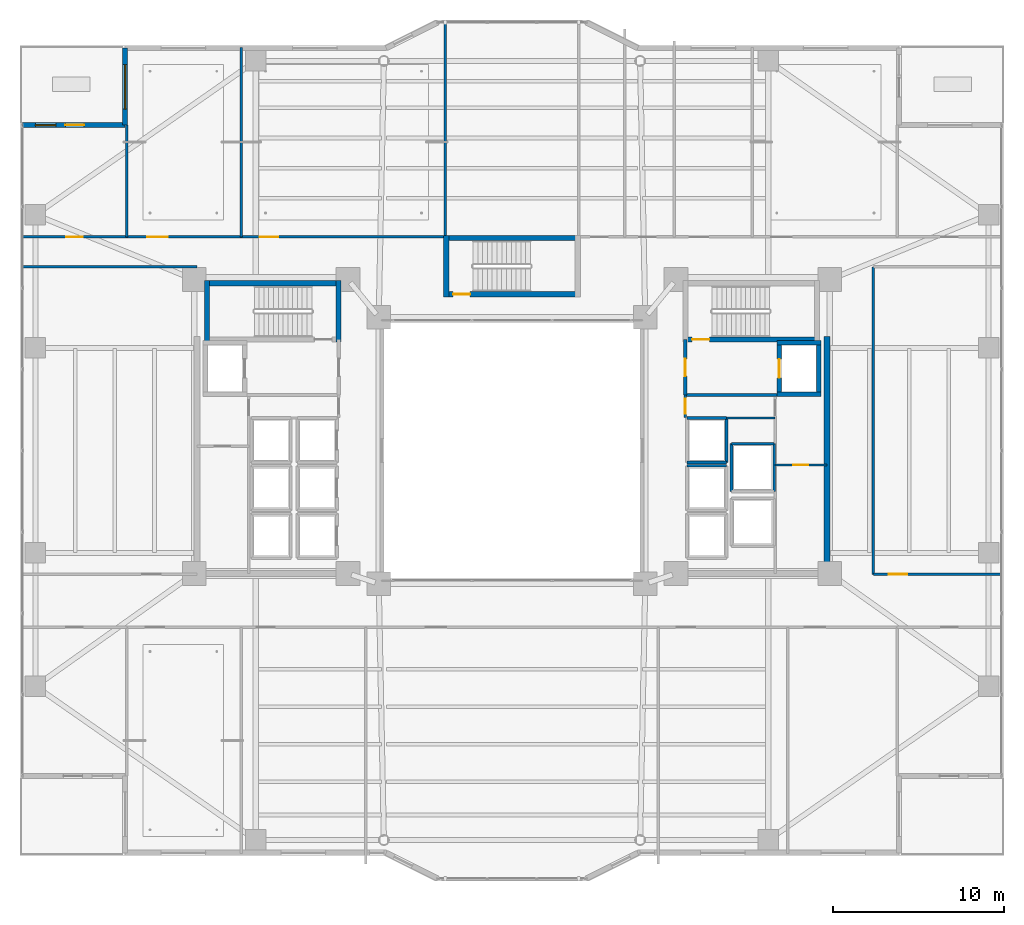
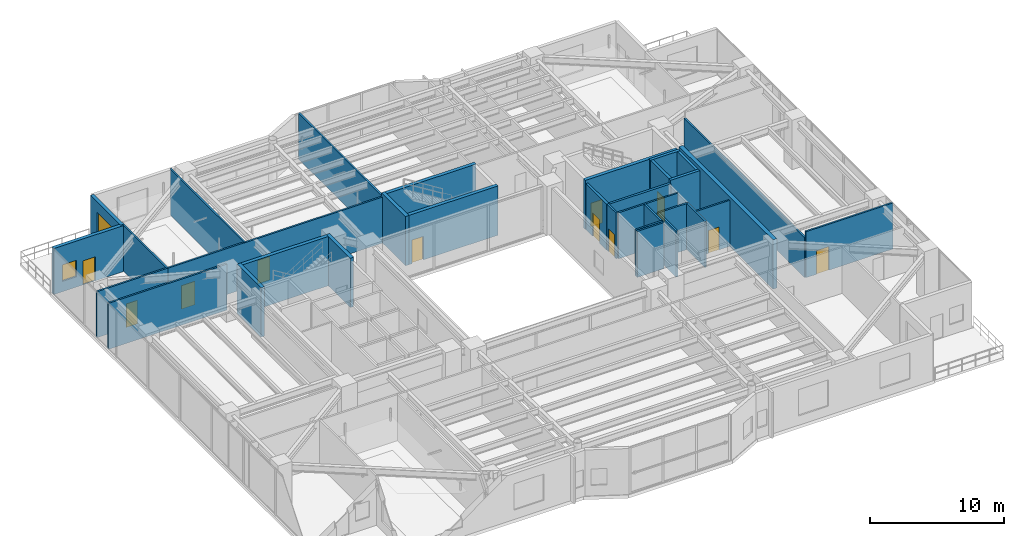
# One storey, part 31 of 40: 34 walls, 11 doors, 2 windows, 13 openings.
"""IFC4 building model written with IfcOpenShell, lengths in metres."""

from ifc_helpers import new_model, si_unit, direction, frame, frame_2d, origin, place, context, subcontext, project, spatial, rectangle, extrude, material, layer, layer_set, type_object, element, fill, save


model = new_model("IFC4")

# Units and contexts
model_context = context("Model", 3, precision=1e-05, world=origin(), true_north=direction((0.0, 1.0)))
body_context = subcontext(model_context, "Body", "Model", "MODEL_VIEW")
ifc_project = project(units=[si_unit("LENGTHUNIT", "METRE"), si_unit("AREAUNIT", "SQUARE_METRE"), si_unit("VOLUMEUNIT", "CUBIC_METRE"), si_unit("PLANEANGLEUNIT", "RADIAN"), si_unit("MASSUNIT", "GRAM", prefix="KILO")], contexts=[model_context])

# Site, building, storey
site_placement = place(None, origin())
site = spatial("IfcSite", under=ifc_project, at=site_placement, CompositionType="ELEMENT")
building_placement = place(site_placement, origin())
building = spatial("IfcBuilding", under=site, at=building_placement, Name="Tarnavaz Court Tower", CompositionType="ELEMENT")
storey_placement = place(building_placement, frame((0.0, 0.0, 64.199951171875)))
storey = spatial("IfcBuildingStorey", under=building, at=storey_placement, Name="L17", CompositionType="ELEMENT", Elevation=64.199951171875)

# Wall, opening, door
ifc_material_1 = material(Name="Concrete C60/75", Category="concrete")
ifc_layer_1 = layer(ifc_material_1, 0.25)
ifc_layer_set_1 = layer_set([ifc_layer_1], Name="Concrete C60/75")
wall_type_1 = type_object("IfcWallType", Name="WL-CORE-250-C60", PredefinedType="SHEAR", material=ifc_layer_set_1)
wall_1_placement = place(storey_placement, frame((15.64990234375, 3.175048828125, 0.0), z_axis=(0.0, 0.0, 1.0), x_axis=(0.0, 1.0, 0.0)))
wall_1 = element("IfcWall", 1, at=wall_1_placement, inside=storey, type_object=wall_type_1, Name="L17 Lift FL-E1 Shaft Wall 045", PredefinedType="SHEAR", context=body_context, shape_type="SweptSolid", body=[
    extrude(rectangle(XDim=3.25, YDim=0.25, at=frame_2d((1.625, 0.0))), origin(), (0.0, 0.0, 1.0), 4.5),
])
opening_1_placement = place(wall_1_placement, frame((1.074951171875, 0.0, 0.0)))
opening_1 = element("IfcOpeningElement", 2, at=opening_1_placement, cuts=wall_1, Name="Opening LD1", PredefinedType="OPENING", context=body_context, shape_type="SweptSolid", body=[
    extrude(rectangle(XDim=1.10009765625, YDim=2.14990234375, at=frame_2d((0.550048828125, 1.074951171875))), frame((0.0, 0.135009765625, 0.0), z_axis=(0.0, -1.0, 0.0), x_axis=(1.0, 0.0, 0.0)), (0.0, 0.0, 1.0), 0.27001953125),
])
ifc_material_2 = material(Name="Stainless Steel", Category="steel")
door_type_1 = type_object("IfcDoorType", Name="DR-LD-1100", OperationType="NOTDEFINED", PredefinedType="DOOR", material=ifc_material_2)
door_1_placement = place(opening_1_placement, origin())
door_1 = element("IfcDoor", 3, at=door_1_placement, inside=storey, type_object=door_type_1, Name="L17 Lift Landing Door LD-FL-E1", OperationType="SLIDING_TO_LEFT", OverallHeight=2.14990234375, OverallWidth=1.10009765625, PredefinedType="DOOR", context=body_context, shape_type="SweptSolid", body=[
    extrude(rectangle(XDim=1.10009765625, YDim=2.14990234375, at=frame_2d((0.550048828125, 1.074951171875))), frame((0.0, 0.02490234375, 0.0), z_axis=(0.0, -1.0, 0.0), x_axis=(1.0, 0.0, 0.0)), (0.0, 0.0, 1.0), 0.050048828125),
])
fill(opening_1, door_1)

# Walls
wall_2_placement = place(storey_placement, frame((17.949951171875, 3.175048828125, 0.0), z_axis=(0.0, 0.0, 1.0), x_axis=(0.0, 1.0, 0.0)))
element("IfcWall", 4, at=wall_2_placement, inside=storey, type_object=wall_type_1, Name="L17 Lift FL-E1 Shaft Wall 046", PredefinedType="SHEAR", context=body_context, shape_type="SweptSolid", body=[
    extrude(rectangle(XDim=3.25, YDim=0.25, at=frame_2d((1.625, 0.0))), origin(), (0.0, 0.0, 1.0), 4.5),
])
for number, where, z_axis, x_axis, name in (
    (5, (15.52490234375, 3.300048828125, 0.0), (0.0, 0.0, 1.0), (1.0, 0.0, 0.0), "L17 Lift FL-E1 Shaft Wall 047"),
    (6, (15.52490234375, 6.300048828125, 0.0), (0.0, 0.0, 1.0), (1.0, 0.0, 0.0), "L17 Lift FL-E1 Shaft Wall 048"),
):
    element("IfcWall", number, at=place(storey_placement, frame(where, z_axis=z_axis, x_axis=x_axis)), inside=storey, type_object=wall_type_1, Name=name, PredefinedType="SHEAR", context=body_context, shape_type="SweptSolid", body=[
        extrude(rectangle(XDim=2.550048828125, YDim=0.25, at=frame_2d((1.27490234375, 0.0))), origin(), (0.0, 0.0, 1.0), 4.5),
    ])
ifc_layer_2 = layer(ifc_material_1, 0.300048828125)
ifc_layer_set_2 = layer_set([ifc_layer_2], Name="Concrete C60/75")
wall_type_2 = type_object("IfcWallType", Name="WL-CORE-300-C60", PredefinedType="SHEAR", material=ifc_layer_set_2)
wall_3_placement = place(storey_placement, frame((-18.0, 9.7900390625, 0.0), z_axis=(0.0, 0.0, 1.0), x_axis=(1.0, 0.0, 0.0)))
element("IfcWall", 7, at=wall_3_placement, inside=storey, type_object=wall_type_2, Name="L17 West Stair Core Wall 001", PredefinedType="SHEAR", context=body_context, shape_type="SweptSolid", body=[
    extrude(rectangle(XDim=8.0, YDim=0.300048828125, at=frame_2d((4.0, 0.0))), origin(), (0.0, 0.0, 1.0), 4.5),
])
for number, where, z_axis, x_axis, name in (
    (8, (-17.85009765625, 6.35009765625, 0.0), (0.0, 0.0, 1.0), (0.0, 1.0, 0.0), "L17 West Stair Core Wall 003"),
    (9, (-10.14990234375, 6.35009765625, 0.0), (0.0, 0.0, 1.0), (0.0, 1.0, 0.0), "L17 West Stair Core Wall 004"),
):
    element("IfcWall", number, at=place(storey_placement, frame(where, z_axis=z_axis, x_axis=x_axis)), inside=storey, type_object=wall_type_2, Name=name, PredefinedType="SHEAR", context=body_context, shape_type="SweptSolid", body=[
        extrude(rectangle(XDim=3.58984375, YDim=0.300048828125, at=frame_2d((1.794921875, 0.0))), origin(), (0.0, 0.0, 1.0), 4.5),
    ])

# Wall, opening, door
wall_4_placement = place(storey_placement, frame((10.0, 6.5, 0.0), z_axis=(0.0, 0.0, 1.0), x_axis=(1.0, 0.0, 0.0)))
wall_4 = element("IfcWall", 10, at=wall_4_placement, inside=storey, type_object=wall_type_2, Name="L17 East Stair Core Wall 006", PredefinedType="SHEAR", context=body_context, shape_type="SweptSolid", body=[
    extrude(rectangle(XDim=8.0, YDim=0.300048828125, at=frame_2d((4.0, 0.0))), origin(), (0.0, 0.0, 1.0), 4.5),
])
opening_2_placement = place(wall_4_placement, frame((0.550048828125, 0.0, 0.0)))
opening_2 = element("IfcOpeningElement", 11, at=opening_2_placement, cuts=wall_4, Name="Opening D01", PredefinedType="OPENING", context=body_context, shape_type="SweptSolid", body=[
    extrude(rectangle(XDim=1.0, YDim=2.14990234375, at=frame_2d((0.5, 1.074951171875))), frame((0.0, 0.159912109375, 0.0), z_axis=(0.0, -1.0, 0.0), x_axis=(1.0, 0.0, 0.0)), (0.0, 0.0, 1.0), 0.320068359375),
])
ifc_material_3 = material(Name="Fire-Rated Hardwood Timber Core", Category="wood")
door_type_2 = type_object("IfcDoorType", Name="DR-FD90-1000", OperationType="NOTDEFINED", PredefinedType="DOOR", material=ifc_material_3)
door_2_placement = place(opening_2_placement, origin())
door_2 = element("IfcDoor", 12, at=door_2_placement, inside=storey, type_object=door_type_2, Name="L17 Stair ST-E1 Exit Door", OperationType="SINGLE_SWING_RIGHT", OverallHeight=2.14990234375, OverallWidth=1.0, PredefinedType="DOOR", context=body_context, shape_type="SweptSolid", body=[
    extrude(rectangle(XDim=1.0, YDim=2.14990234375, at=frame_2d((0.5, 1.074951171875))), frame((0.0, 0.02490234375, 0.0), z_axis=(0.0, -1.0, 0.0), x_axis=(1.0, 0.0, 0.0)), (0.0, 0.0, 1.0), 0.050048828125),
])
fill(opening_2, door_2)

# Wall
wall_5_placement = place(storey_placement, frame((-4.0, 12.43994140625, 0.0), z_axis=(0.0, 0.0, 1.0), x_axis=(1.0, 0.0, 0.0)))
element("IfcWall", 13, at=wall_5_placement, inside=storey, type_object=wall_type_2, Name="L17 North Stair Core Wall 009", PredefinedType="SHEAR", context=body_context, shape_type="SweptSolid", body=[
    extrude(rectangle(XDim=8.0, YDim=0.300048828125, at=frame_2d((4.0, 0.0))), origin(), (0.0, 0.0, 1.0), 4.5),
])

# Wall, opening, door
wall_6_placement = place(storey_placement, frame((-4.0, 9.14990234375, 0.0), z_axis=(0.0, 0.0, 1.0), x_axis=(1.0, 0.0, 0.0)))
wall_6 = element("IfcWall", 14, at=wall_6_placement, inside=storey, type_object=wall_type_2, Name="L17 North Stair Core Wall 010", PredefinedType="SHEAR", context=body_context, shape_type="SweptSolid", body=[
    extrude(rectangle(XDim=8.0, YDim=0.300048828125, at=frame_2d((4.0, 0.0))), origin(), (0.0, 0.0, 1.0), 4.5),
])
opening_3_placement = place(wall_6_placement, frame((0.550048828125, 0.0, 0.0)))
opening_3 = element("IfcOpeningElement", 15, at=opening_3_placement, cuts=wall_6, Name="Opening D01", PredefinedType="OPENING", context=body_context, shape_type="SweptSolid", body=[
    extrude(rectangle(XDim=1.0, YDim=2.14990234375, at=frame_2d((0.5, 1.074951171875))), frame((0.0, 0.159912109375, 0.0), z_axis=(0.0, -1.0, 0.0), x_axis=(1.0, 0.0, 0.0)), (0.0, 0.0, 1.0), 0.320068359375),
])
door_3_placement = place(opening_3_placement, origin())
door_3 = element("IfcDoor", 16, at=door_3_placement, inside=storey, type_object=door_type_2, Name="L17 Stair ST-N1 Exit Door", OperationType="SINGLE_SWING_LEFT", OverallHeight=2.14990234375, OverallWidth=1.0, PredefinedType="DOOR", context=body_context, shape_type="SweptSolid", body=[
    extrude(rectangle(XDim=1.0, YDim=2.14990234375, at=frame_2d((0.5, 1.074951171875))), frame((0.0, 0.02490234375, 0.0), z_axis=(0.0, -1.0, 0.0), x_axis=(1.0, 0.0, 0.0)), (0.0, 0.0, 1.0), 0.050048828125),
])
fill(opening_3, door_3)

# Walls
wall_7_placement = place(storey_placement, frame((-3.85009765625, 9.0, 0.0), z_axis=(0.0, 0.0, 1.0), x_axis=(0.0, 1.0, 0.0)))
element("IfcWall", 17, at=wall_7_placement, inside=storey, type_object=wall_type_2, Name="L17 North Stair Core Wall 011", PredefinedType="SHEAR", context=body_context, shape_type="SweptSolid", body=[
    extrude(rectangle(XDim=3.590087890625, YDim=0.300048828125, at=frame_2d((1.794921875, 0.0))), origin(), (0.0, 0.0, 1.0), 4.5),
])
ifc_layer_3 = layer(ifc_material_1, 0.35009765625)
ifc_layer_set_3 = layer_set([ifc_layer_3], Name="Concrete C60/75")
wall_type_3 = type_object("IfcWallType", Name="WL-CORE-350-C60", PredefinedType="SHEAR", material=ifc_layer_set_3)
wall_8_placement = place(storey_placement, frame((18.449951171875, -7.375, 0.0), z_axis=(0.0, 0.0, 1.0), x_axis=(0.0, 1.0, 0.0)))
element("IfcWall", 18, at=wall_8_placement, inside=storey, type_object=wall_type_3, Name="L17 East Core Shear Wall 071", PredefinedType="SHEAR", context=body_context, shape_type="SweptSolid", body=[
    extrude(rectangle(XDim=14.050048828125, YDim=0.35009765625, at=frame_2d((7.02490234375, 0.0))), origin(), (0.0, 0.0, 1.0), 4.5),
])

# Wall, openings, door, window
ifc_material_4 = material(Name="Precast Concrete C40/50", Category="concrete")
ifc_layer_4 = layer(ifc_material_4, 0.300048828125)
ifc_layer_set_4 = layer_set([ifc_layer_4], Name="Precast Concrete C40/50")
wall_type_4 = type_object("IfcWallType", Name="WL-EXT-300", PredefinedType="SOLIDWALL", material=ifc_layer_set_4)
wall_9_placement = place(storey_placement, frame((-28.64990234375, 19.050048828125, 0.0), z_axis=(0.0, 0.0, 1.0), x_axis=(1.0, 0.0, 0.0)))
wall_9 = element("IfcWall", 19, at=wall_9_placement, inside=storey, type_object=wall_type_4, Name="L17 Exterior Terracotta Facade Wall 03", PredefinedType="SOLIDWALL", context=body_context, shape_type="SweptSolid", body=[
    extrude(rectangle(XDim=6.0, YDim=0.300048828125, at=frame_2d((3.0, 0.0))), origin(), (0.0, 0.0, 1.0), 4.199951171875),
])
opening_4_placement = place(wall_9_placement, frame((2.5, 0.0, 0.0)))
opening_4 = element("IfcOpeningElement", 20, at=opening_4_placement, cuts=wall_9, Name="Opening TD1", PredefinedType="OPENING", context=body_context, shape_type="SweptSolid", body=[
    extrude(rectangle(XDim=1.10009765625, YDim=2.199951171875, at=frame_2d((0.550048828125, 1.10009765625))), frame((0.0, 0.159912109375, 0.0), z_axis=(0.0, -1.0, 0.0), x_axis=(1.0, 0.0, 0.0)), (0.0, 0.0, 1.0), 0.320068359375),
])
opening_5_placement = place(wall_9_placement, frame((0.7548828125, 0.0, 0.949951171875)))
opening_5 = element("IfcOpeningElement", 21, at=opening_5_placement, cuts=wall_9, Name="Opening W05", PredefinedType="OPENING", context=body_context, shape_type="SweptSolid", body=[
    extrude(rectangle(XDim=1.199951171875, YDim=1.5, at=frame_2d((0.60009765625, 0.75))), frame((0.0, 0.159912109375, 0.0), z_axis=(0.0, -1.0, 0.0), x_axis=(1.0, 0.0, 0.0)), (0.0, 0.0, 1.0), 0.320068359375),
])
ifc_material_5 = material(Name="Thermally Broken Aluminium and Laminated Glass", Category="aluminium")
door_type_3 = type_object("IfcDoorType", Name="DR-TERR-1100", OperationType="NOTDEFINED", PredefinedType="DOOR", material=ifc_material_5)
door_4_placement = place(opening_4_placement, origin())
door_4 = element("IfcDoor", 22, at=door_4_placement, inside=storey, type_object=door_type_3, Name="L17 Sky Terrace Access Door 2", OperationType="SINGLE_SWING_RIGHT", OverallHeight=2.199951171875, OverallWidth=1.10009765625, PredefinedType="DOOR", context=body_context, shape_type="SweptSolid", body=[
    extrude(rectangle(XDim=1.10009765625, YDim=2.199951171875, at=frame_2d((0.550048828125, 1.10009765625))), frame((0.0, 0.02490234375, 0.0), z_axis=(0.0, -1.0, 0.0), x_axis=(1.0, 0.0, 0.0)), (0.0, 0.0, 1.0), 0.050048828125),
])
fill(opening_4, door_4)
ifc_material_6 = material(Name="Double-Glazed Solar Low-E Glass", Category="glass")
window_type_1 = type_object("IfcWindowType", Name="WN-APT-1200", PartitioningType="SINGLE_PANEL", PredefinedType="WINDOW", material=ifc_material_6)
window_1_placement = place(opening_5_placement, origin())
window_1 = element("IfcWindow", 23, at=window_1_placement, inside=storey, type_object=window_type_1, Name="L17 L17 NW Terrace Salon Window", OverallHeight=1.5, OverallWidth=1.199951171875, PartitioningType="SINGLE_PANEL", PredefinedType="WINDOW", context=body_context, shape_type="SweptSolid", body=[
    extrude(rectangle(XDim=1.199951171875, YDim=1.5, at=frame_2d((0.60009765625, 0.75))), frame((0.0, 0.030029296875, 0.0), z_axis=(0.0, -1.0, 0.0), x_axis=(1.0, 0.0, 0.0)), (0.0, 0.0, 1.0), 0.06005859375),
])
fill(opening_5, window_1)

# Wall, opening, window
wall_10_placement = place(storey_placement, frame((-22.64990234375, 19.050048828125, 0.0), z_axis=(0.0, 0.0, 1.0), x_axis=(0.0, 1.0, 0.0)))
wall_10 = element("IfcWall", 24, at=wall_10_placement, inside=storey, type_object=wall_type_4, Name="L17 Exterior Terracotta Facade Wall 04", PredefinedType="SOLIDWALL", context=body_context, shape_type="SweptSolid", body=[
    extrude(rectangle(XDim=4.5, YDim=0.300048828125, at=frame_2d((2.25, 0.0))), origin(), (0.0, 0.0, 1.0), 4.199951171875),
])
opening_6_placement = place(wall_10_placement, frame((0.9326171875, 0.0, 0.85009765625)))
opening_6 = element("IfcOpeningElement", 25, at=opening_6_placement, cuts=wall_10, Name="Opening W11", PredefinedType="OPENING", context=body_context, shape_type="SweptSolid", body=[
    extrude(rectangle(XDim=2.60009765625, YDim=2.39990234375, at=frame_2d((1.300048828125, 1.199951171875))), frame((0.0, 0.159912109375, 0.0), z_axis=(0.0, -1.0, 0.0), x_axis=(1.0, 0.0, 0.0)), (0.0, 0.0, 1.0), 0.320068359375),
])
window_type_2 = type_object("IfcWindowType", Name="WN-COM-2600", PartitioningType="TRIPLE_PANEL_VERTICAL", PredefinedType="WINDOW", material=ifc_material_6)
window_2_placement = place(opening_6_placement, origin())
window_2 = element("IfcWindow", 26, at=window_2_placement, inside=storey, type_object=window_type_2, Name="L17 L17 Community Banquet Assembly Hall Window", OverallHeight=2.39990234375, OverallWidth=2.60009765625, PartitioningType="SINGLE_PANEL", PredefinedType="WINDOW", context=body_context, shape_type="SweptSolid", body=[
    extrude(rectangle(XDim=2.60009765625, YDim=2.39990234375, at=frame_2d((1.300048828125, 1.199951171875))), frame((0.0, 0.030029296875, 0.0), z_axis=(0.0, -1.0, 0.0), x_axis=(1.0, 0.0, 0.0)), (0.0, 0.0, 1.0), 0.06005859375),
])
fill(opening_6, window_2)

# Wall, openings, doors
ifc_material_7 = material(Name="Gypsum Fire-Board on Acoustic Metal Stud", Category="masonry")
ifc_layer_5 = layer(ifc_material_7, 0.14990234375)
ifc_layer_set_5 = layer_set([ifc_layer_5], Name="Gypsum Fire-Board on Acoustic Metal Stud")
wall_type_5 = type_object("IfcWallType", Name="WL-FIRE-150", PredefinedType="PARTITIONING", material=ifc_layer_set_5)
wall_11_placement = place(storey_placement, frame((-22.550048828125, 12.5, 0.0), z_axis=(0.0, 0.0, 1.0), x_axis=(1.0, 0.0, 0.0)))
wall_11 = element("IfcWall", 27, at=wall_11_placement, inside=storey, type_object=wall_type_5, Name="L17 NW Wing Corridor Wall 081", PredefinedType="PARTITIONING", context=body_context, shape_type="SweptSolid", body=[
    extrude(rectangle(XDim=18.699951171875, YDim=0.14990234375, at=frame_2d((9.35009765625, 0.0))), origin(), (0.0, 0.0, 1.0), 4.199951171875),
])
opening_7_placement = place(wall_11_placement, frame((1.199951171875, 0.0, 0.0)))
opening_7 = element("IfcOpeningElement", 28, at=opening_7_placement, cuts=wall_11, Name="Opening D11", PredefinedType="OPENING", context=body_context, shape_type="SweptSolid", body=[
    extrude(rectangle(XDim=1.199951171875, YDim=2.14990234375, at=frame_2d((0.60009765625, 1.074951171875))), frame((0.0, 0.0849609375, 0.0), z_axis=(0.0, -1.0, 0.0), x_axis=(1.0, 0.0, 0.0)), (0.0, 0.0, 1.0), 0.169921875),
])
opening_8_placement = place(wall_11_placement, frame((7.7958984375, 0.0, 0.0)))
opening_8 = element("IfcOpeningElement", 29, at=opening_8_placement, cuts=wall_11, Name="Opening D12", PredefinedType="OPENING", context=body_context, shape_type="SweptSolid", body=[
    extrude(rectangle(XDim=1.080078125, YDim=2.14990234375, at=frame_2d((0.5400390625, 1.074951171875))), frame((0.0, 0.0849609375, 0.0), z_axis=(0.0, -1.0, 0.0), x_axis=(1.0, 0.0, 0.0)), (0.0, 0.0, 1.0), 0.169921875),
])
ifc_material_8 = material(Name="Engineered Oak Timber", Category="wood")
door_type_4 = type_object("IfcDoorType", Name="DR-INT-1100", OperationType="NOTDEFINED", PredefinedType="DOOR", material=ifc_material_8)
door_5_placement = place(opening_8_placement, origin())
door_5 = element("IfcDoor", 30, at=door_5_placement, inside=storey, type_object=door_type_4, Name="L17 L17 Resident Study Library Door", OperationType="SINGLE_SWING_RIGHT", OverallHeight=2.14990234375, OverallWidth=1.080078125, PredefinedType="DOOR", context=body_context, shape_type="SweptSolid", body=[
    extrude(rectangle(XDim=1.080078125, YDim=2.14990234375, at=frame_2d((0.5400390625, 1.074951171875))), frame((0.0, 0.02490234375, 0.0), z_axis=(0.0, -1.0, 0.0), x_axis=(1.0, 0.0, 0.0)), (0.0, 0.0, 1.0), 0.050048828125),
])
fill(opening_8, door_5)
door_type_5 = type_object("IfcDoorType", Name="DR-INT-1200", OperationType="NOTDEFINED", PredefinedType="DOOR", material=ifc_material_8)
door_6_placement = place(opening_7_placement, origin())
door_6 = element("IfcDoor", 31, at=door_6_placement, inside=storey, type_object=door_type_5, Name="L17 L17 Community Banquet Assembly Hall Door", OperationType="SINGLE_SWING_LEFT", OverallHeight=2.14990234375, OverallWidth=1.199951171875, PredefinedType="DOOR", context=body_context, shape_type="SweptSolid", body=[
    extrude(rectangle(XDim=1.199951171875, YDim=2.14990234375, at=frame_2d((0.60009765625, 1.074951171875))), frame((0.0, 0.02490234375, 0.0), z_axis=(0.0, -1.0, 0.0), x_axis=(1.0, 0.0, 0.0)), (0.0, 0.0, 1.0), 0.050048828125),
])
fill(opening_7, door_6)

# Wall
wall_12_placement = place(storey_placement, frame((21.14990234375, -7.25, 0.0), z_axis=(0.0, 0.0, 1.0), x_axis=(0.0, 1.0, 0.0)))
element("IfcWall", 32, at=wall_12_placement, inside=storey, type_object=wall_type_5, Name="L17 East Outer Link Wall 083", PredefinedType="PARTITIONING", context=body_context, shape_type="SweptSolid", body=[
    extrude(rectangle(XDim=18.0, YDim=0.14990234375, at=frame_2d((9.0, 0.0))), origin(), (0.0, 0.0, 1.0), 3.635009765625),
])

# Wall, opening, door
wall_13_placement = place(storey_placement, frame((21.14990234375, -7.25, 0.0), z_axis=(0.0, 0.0, 1.0), x_axis=(1.0, 0.0, 0.0)))
wall_13 = element("IfcWall", 33, at=wall_13_placement, inside=storey, type_object=wall_type_5, Name="L17 Interior Partition 098", PredefinedType="PARTITIONING", context=body_context, shape_type="SweptSolid", body=[
    extrude(rectangle(XDim=7.530029296875, YDim=0.14990234375, at=frame_2d((3.76513671875, 0.0))), origin(), (0.0, 0.0, 1.0), 4.199951171875),
])
opening_9_placement = place(wall_13_placement, frame((0.89990234375, 0.0, 0.0)))
opening_9 = element("IfcOpeningElement", 34, at=opening_9_placement, cuts=wall_13, Name="Opening D12", PredefinedType="OPENING", context=body_context, shape_type="SweptSolid", body=[
    extrude(rectangle(XDim=1.080078125, YDim=2.14990234375, at=frame_2d((0.5400390625, 1.074951171875))), frame((0.0, 0.0849609375, 0.0), z_axis=(0.0, -1.0, 0.0), x_axis=(1.0, 0.0, 0.0)), (0.0, 0.0, 1.0), 0.169921875),
])
door_7_placement = place(opening_9_placement, origin())
door_7 = element("IfcDoor", 35, at=door_7_placement, inside=storey, type_object=door_type_4, Name="L17 East Panoramic Lounge Door", OperationType="SINGLE_SWING_LEFT", OverallHeight=2.14990234375, OverallWidth=1.080078125, PredefinedType="DOOR", context=body_context, shape_type="SweptSolid", body=[
    extrude(rectangle(XDim=1.080078125, YDim=2.14990234375, at=frame_2d((0.5400390625, 1.074951171875))), frame((0.0, 0.02490234375, 0.0), z_axis=(0.0, -1.0, 0.0), x_axis=(1.0, 0.0, 0.0)), (0.0, 0.0, 1.0), 0.050048828125),
])
fill(opening_9, door_7)

# Wall
wall_14_placement = place(storey_placement, frame((-28.679931640625, 10.75, 0.0), z_axis=(0.0, 0.0, 1.0), x_axis=(1.0, 0.0, 0.0)))
element("IfcWall", 36, at=wall_14_placement, inside=storey, type_object=wall_type_5, Name="L17 Interior Partition 099", PredefinedType="PARTITIONING", context=body_context, shape_type="SweptSolid", body=[
    extrude(rectangle(XDim=10.22998046875, YDim=0.14990234375, at=frame_2d((5.114990234375, 0.0))), origin(), (0.0, 0.0, 1.0), 4.199951171875),
])

# Wall, opening, door
wall_15_placement = place(storey_placement, frame((-28.679931640625, 12.5, 0.0), z_axis=(0.0, 0.0, 1.0), x_axis=(1.0, 0.0, 0.0)))
wall_15 = element("IfcWall", 37, at=wall_15_placement, inside=storey, type_object=wall_type_5, Name="L17 Interior Partition 105", PredefinedType="PARTITIONING", context=body_context, shape_type="SweptSolid", body=[
    extrude(rectangle(XDim=6.1298828125, YDim=0.14990234375, at=frame_2d((3.06494140625, 0.0))), origin(), (0.0, 0.0, 1.0), 4.199951171875),
])
opening_10_placement = place(wall_15_placement, frame((2.590087890625, 0.0, 0.0)))
opening_10 = element("IfcOpeningElement", 38, at=opening_10_placement, cuts=wall_15, Name="Opening D13", PredefinedType="OPENING", context=body_context, shape_type="SweptSolid", body=[
    extrude(rectangle(XDim=0.949951171875, YDim=2.14990234375, at=frame_2d((0.47509765625, 1.074951171875))), frame((0.0, 0.0849609375, 0.0), z_axis=(0.0, -1.0, 0.0), x_axis=(1.0, 0.0, 0.0)), (0.0, 0.0, 1.0), 0.169921875),
])
door_type_6 = type_object("IfcDoorType", Name="DR-INT-950", OperationType="NOTDEFINED", PredefinedType="DOOR", material=ifc_material_8)
door_8_placement = place(opening_10_placement, origin())
door_8 = element("IfcDoor", 39, at=door_8_placement, inside=storey, type_object=door_type_6, Name="L17 NW Terrace Salon Door", OperationType="SINGLE_SWING_RIGHT", OverallHeight=2.14990234375, OverallWidth=0.949951171875, PredefinedType="DOOR", context=body_context, shape_type="SweptSolid", body=[
    extrude(rectangle(XDim=0.949951171875, YDim=2.14990234375, at=frame_2d((0.47509765625, 1.074951171875))), frame((0.0, 0.02490234375, 0.0), z_axis=(0.0, -1.0, 0.0), x_axis=(1.0, 0.0, 0.0)), (0.0, 0.0, 1.0), 0.050048828125),
])
fill(opening_10, door_8)

# Wall
ifc_material_9 = material(Name="Autoclaved Aerated Concrete Blockwork", Category="masonry")
ifc_layer_6 = layer(ifc_material_9, 0.199951171875)
ifc_layer_set_6 = layer_set([ifc_layer_6], Name="Autoclaved Aerated Concrete Blockwork")
wall_type_6 = type_object("IfcWallType", Name="WL-FIRE-200", PredefinedType="SOLIDWALL", material=ifc_layer_set_6)
wall_16_placement = place(storey_placement, frame((10.14990234375, 3.25, 0.0), z_axis=(0.0, 0.0, 1.0), x_axis=(1.0, 0.0, 0.0)))
element("IfcWall", 40, at=wall_16_placement, inside=storey, type_object=wall_type_6, Name="L17 East Firefighting Lobby Wall 015", PredefinedType="SOLIDWALL", context=body_context, shape_type="SweptSolid", body=[
    extrude(rectangle(XDim=5.400146484375, YDim=0.199951171875, at=frame_2d((2.7001953125, 0.0))), origin(), (0.0, 0.0, 1.0), 4.199951171875),
])

# Wall, opening, door
wall_17_placement = place(storey_placement, frame((10.14990234375, 3.25, 0.0), z_axis=(0.0, 0.0, 1.0), x_axis=(0.0, 1.0, 0.0)))
wall_17 = element("IfcWall", 41, at=wall_17_placement, inside=storey, type_object=wall_type_6, Name="L17 East Firefighting Lobby Wall 016", PredefinedType="SOLIDWALL", context=body_context, shape_type="SweptSolid", body=[
    extrude(rectangle(XDim=3.25, YDim=0.199951171875, at=frame_2d((1.625, 0.0))), origin(), (0.0, 0.0, 1.0), 4.199951171875),
])
opening_11_placement = place(wall_17_placement, frame((1.10009765625, 0.0, 0.0)))
opening_11 = element("IfcOpeningElement", 42, at=opening_11_placement, cuts=wall_17, Name="Opening D05", PredefinedType="OPENING", context=body_context, shape_type="SweptSolid", body=[
    extrude(rectangle(XDim=1.02001953125, YDim=2.14990234375, at=frame_2d((0.510009765625, 1.074951171875))), frame((0.0, 0.10986328125, 0.0), z_axis=(0.0, -1.0, 0.0), x_axis=(1.0, 0.0, 0.0)), (0.0, 0.0, 1.0), 0.219970703125),
])
door_type_7 = type_object("IfcDoorType", Name="DR-FD60-1000", OperationType="NOTDEFINED", PredefinedType="DOOR", material=ifc_material_3)
door_9_placement = place(opening_11_placement, origin())
door_9 = element("IfcDoor", 43, at=door_9_placement, inside=storey, type_object=door_type_7, Name="L17 East Firefighting Lobby Door", OperationType="SINGLE_SWING_LEFT", OverallHeight=2.14990234375, OverallWidth=1.02001953125, PredefinedType="DOOR", context=body_context, shape_type="SweptSolid", body=[
    extrude(rectangle(XDim=1.02001953125, YDim=2.14990234375, at=frame_2d((0.510009765625, 1.074951171875))), frame((0.0, 0.02490234375, 0.0), z_axis=(0.0, -1.0, 0.0), x_axis=(1.0, 0.0, 0.0)), (0.0, 0.0, 1.0), 0.050048828125),
])
fill(opening_11, door_9)

# Wall
ifc_material_10 = material(Name="Gypsum Plasterboard Acoustic Partition", Category="masonry")
ifc_layer_7 = layer(ifc_material_10, 0.139892578125)
ifc_layer_set_7 = layer_set([ifc_layer_7], Name="Gypsum Plasterboard Acoustic Partition")
wall_type_7 = type_object("IfcWallType", Name="WL-PART-150", PredefinedType="PARTITIONING", material=ifc_layer_set_7)
wall_18_placement = place(storey_placement, frame((12.550048828125, 1.89990234375, 0.0), z_axis=(0.0, 0.0, 1.0), x_axis=(1.0, 0.0, 0.0)))
element("IfcWall", 44, at=wall_18_placement, inside=storey, type_object=wall_type_7, Name="L17 Interior Partition 077", PredefinedType="PARTITIONING", context=body_context, shape_type="SweptSolid", body=[
    extrude(rectangle(XDim=2.849853515625, YDim=0.139892578125, at=frame_2d((1.4248046875, 0.0))), origin(), (0.0, 0.0, 1.0), 4.199951171875),
])

# Wall, opening, door
wall_19_placement = place(storey_placement, frame((10.14990234375, 1.919921875, 0.0), z_axis=(0.0, 0.0, 1.0), x_axis=(0.0, 1.0, 0.0)))
wall_19 = element("IfcWall", 45, at=wall_19_placement, inside=storey, type_object=wall_type_7, Name="L17 Interior Partition 078", PredefinedType="PARTITIONING", context=body_context, shape_type="SweptSolid", body=[
    extrude(rectangle(XDim=1.330078125, YDim=0.139892578125, at=frame_2d((0.6650390625, 0.0))), origin(), (0.0, 0.0, 1.0), 4.199951171875),
])
opening_12_placement = place(wall_19_placement, frame((0.219970703125, 0.0, 0.0)))
opening_12 = element("IfcOpeningElement", 46, at=opening_12_placement, cuts=wall_19, Name="Opening D09", PredefinedType="OPENING", context=body_context, shape_type="SweptSolid", body=[
    extrude(rectangle(XDim=0.89990234375, YDim=2.080078125, at=frame_2d((0.449951171875, 1.0400390625))), frame((0.0, 0.079833984375, 0.0), z_axis=(0.0, -1.0, 0.0), x_axis=(1.0, 0.0, 0.0)), (0.0, 0.0, 1.0), 0.159912109375),
])
door_type_8 = type_object("IfcDoorType", Name="DR-FD30-900", OperationType="NOTDEFINED", PredefinedType="DOOR", material=ifc_material_3)
door_10_placement = place(opening_12_placement, origin())
door_10 = element("IfcDoor", 47, at=door_10_placement, inside=storey, type_object=door_type_8, Name="L17 East Core Service Lobby Door", OperationType="SINGLE_SWING_RIGHT", OverallHeight=2.080078125, OverallWidth=0.89990234375, PredefinedType="DOOR", context=body_context, shape_type="SweptSolid", body=[
    extrude(rectangle(XDim=0.89990234375, YDim=2.080078125, at=frame_2d((0.449951171875, 1.0400390625))), frame((0.0, 0.02490234375, 0.0), z_axis=(0.0, -1.0, 0.0), x_axis=(1.0, 0.0, 0.0)), (0.0, 0.0, 1.0), 0.050048828125),
])
fill(opening_12, door_10)

wall_20_placement = place(storey_placement, frame((15.39990234375, -0.85009765625, 0.0), z_axis=(0.0, 0.0, 1.0), x_axis=(1.0, 0.0, 0.0)))
wall_20 = element("IfcWall", 48, at=wall_20_placement, inside=storey, type_object=wall_type_7, Name="L17 Interior Partition 080", PredefinedType="PARTITIONING", context=body_context, shape_type="SweptSolid", body=[
    extrude(rectangle(XDim=3.050048828125, YDim=0.139892578125, at=frame_2d((1.52490234375, 0.0))), origin(), (0.0, 0.0, 1.0), 4.199951171875),
])
opening_13_placement = place(wall_20_placement, frame((1.050048828125, 0.0, 0.0)))
opening_13 = element("IfcOpeningElement", 49, at=opening_13_placement, cuts=wall_20, Name="Opening D09", PredefinedType="OPENING", context=body_context, shape_type="SweptSolid", body=[
    extrude(rectangle(XDim=0.89990234375, YDim=2.080078125, at=frame_2d((0.449951171875, 1.0400390625))), frame((0.0, 0.079833984375, 0.0), z_axis=(0.0, -1.0, 0.0), x_axis=(1.0, 0.0, 0.0)), (0.0, 0.0, 1.0), 0.159912109375),
])
door_11_placement = place(opening_13_placement, origin())
door_11 = element("IfcDoor", 50, at=door_11_placement, inside=storey, type_object=door_type_8, Name="L17 East Electrical Plant Door", OperationType="SINGLE_SWING_RIGHT", OverallHeight=2.080078125, OverallWidth=0.89990234375, PredefinedType="DOOR", context=body_context, shape_type="SweptSolid", body=[
    extrude(rectangle(XDim=0.89990234375, YDim=2.080078125, at=frame_2d((0.449951171875, 1.0400390625))), frame((0.0, 0.02490234375, 0.0), z_axis=(0.0, -1.0, 0.0), x_axis=(1.0, 0.0, 0.0)), (0.0, 0.0, 1.0), 0.050048828125),
])
fill(opening_13, door_11)

# Walls
wall_21_placement = place(storey_placement, frame((-3.89990234375, 12.5, 0.0), z_axis=(0.0, 0.0, 1.0), x_axis=(0.0, 1.0, 0.0)))
element("IfcWall", 51, at=wall_21_placement, inside=storey, type_object=wall_type_7, Name="L17 Interior Partition 087", PredefinedType="PARTITIONING", context=body_context, shape_type="SweptSolid", body=[
    extrude(rectangle(XDim=12.580078125, YDim=0.139892578125, at=frame_2d((6.2900390625, 0.0))), origin(), (0.0, 0.0, 1.0), 4.199951171875),
])
wall_22_placement = place(storey_placement, frame((-15.85400390625, 12.5, 0.0), z_axis=(0.0, 0.0, 1.0), x_axis=(0.0, 1.0, 0.0)))
element("IfcWall", 52, at=wall_22_placement, inside=storey, type_object=wall_type_7, Name="L17 Interior Partition 089", PredefinedType="PARTITIONING", context=body_context, shape_type="SweptSolid", body=[
    extrude(rectangle(XDim=11.10009765625, YDim=0.139892578125, at=frame_2d((5.550048828125, 0.0))), origin(), (0.0, 0.0, 1.0), 4.199951171875),
])
wall_23_placement = place(storey_placement, frame((-22.550048828125, 12.5, 0.0), z_axis=(0.0, 0.0, 1.0), x_axis=(0.0, 1.0, 0.0)))
element("IfcWall", 53, at=wall_23_placement, inside=storey, type_object=wall_type_7, Name="L17 Interior Partition 103", PredefinedType="PARTITIONING", context=body_context, shape_type="SweptSolid", body=[
    extrude(rectangle(XDim=6.550048828125, YDim=0.139892578125, at=frame_2d((3.27490234375, 0.0))), origin(), (0.0, 0.0, 1.0), 4.199951171875),
])
ifc_layer_8 = layer(ifc_material_9, 0.159912109375)
ifc_layer_set_8 = layer_set([ifc_layer_8], Name="Autoclaved Aerated Concrete Blockwork")
wall_type_8 = type_object("IfcWallType", Name="WL-SHAFT-150", PredefinedType="SOLIDWALL", material=ifc_layer_set_8)
wall_24_placement = place(storey_placement, frame((10.25, -0.89990234375, 0.0), z_axis=(0.0, 0.0, 1.0), x_axis=(1.0, 0.0, 0.0)))
element("IfcWall", 54, at=wall_24_placement, inside=storey, type_object=wall_type_8, Name="L17 Lift PL-M2 Shaft Wall 056", PredefinedType="SOLIDWALL", context=body_context, shape_type="SweptSolid", body=[
    extrude(rectangle(XDim=2.300048828125, YDim=0.159912109375, at=frame_2d((1.14990234375, 0.0))), origin(), (0.0, 0.0, 1.0), 4.199951171875),
])
wall_25_placement = place(storey_placement, frame((12.550048828125, -0.699951171875, 0.0), z_axis=(0.0, 0.0, 1.0), x_axis=(0.0, 1.0, 0.0)))
element("IfcWall", 55, at=wall_25_placement, inside=storey, type_object=wall_type_8, Name="L17 Lift PL-M3 Shaft Wall 058", PredefinedType="SOLIDWALL", context=body_context, shape_type="SweptSolid", body=[
    extrude(rectangle(XDim=2.599853515625, YDim=0.159912109375, at=frame_2d((1.2998046875, 0.0))), origin(), (0.0, 0.0, 1.0), 4.199951171875),
])
for number, where, z_axis, x_axis, name in (
    (56, (10.25, -0.699951171875, 0.0), (0.0, 0.0, 1.0), (1.0, 0.0, 0.0), "L17 Lift PL-M3 Shaft Wall 059"),
    (57, (10.25, 1.89990234375, 0.0), (0.0, 0.0, 1.0), (1.0, 0.0, 0.0), "L17 Lift PL-M3 Shaft Wall 060"),
):
    element("IfcWall", number, at=place(storey_placement, frame(where, z_axis=z_axis, x_axis=x_axis)), inside=storey, type_object=wall_type_8, Name=name, PredefinedType="SOLIDWALL", context=body_context, shape_type="SweptSolid", body=[
        extrude(rectangle(XDim=2.300048828125, YDim=0.159912109375, at=frame_2d((1.14990234375, 0.0))), origin(), (0.0, 0.0, 1.0), 4.199951171875),
    ])
for number, where, z_axis, x_axis, name in (
    (58, (12.85009765625, -2.39990234375, 0.0), (0.0, 0.0, 1.0), (0.0, 1.0, 0.0), "L17 Lift PL-OB2 Shaft Wall 065"),
    (59, (15.35009765625, -2.39990234375, 0.0), (0.0, 0.0, 1.0), (0.0, 1.0, 0.0), "L17 Lift PL-OB2 Shaft Wall 066"),
):
    element("IfcWall", number, at=place(storey_placement, frame(where, z_axis=z_axis, x_axis=x_axis)), inside=storey, type_object=wall_type_8, Name=name, PredefinedType="SOLIDWALL", context=body_context, shape_type="SweptSolid", body=[
        extrude(rectangle(XDim=2.7998046875, YDim=0.159912109375, at=frame_2d((1.39990234375, 0.0))), origin(), (0.0, 0.0, 1.0), 4.199951171875),
    ])
wall_26_placement = place(storey_placement, frame((12.85009765625, 0.39990234375, 0.0), z_axis=(0.0, 0.0, 1.0), x_axis=(1.0, 0.0, 0.0)))
element("IfcWall", 60, at=wall_26_placement, inside=storey, type_object=wall_type_8, Name="L17 Lift PL-OB2 Shaft Wall 068", PredefinedType="SOLIDWALL", context=body_context, shape_type="SweptSolid", body=[
    extrude(rectangle(XDim=2.5, YDim=0.159912109375, at=frame_2d((1.25, 0.0))), origin(), (0.0, 0.0, 1.0), 4.199951171875),
])

save(model, "model.ifc")
